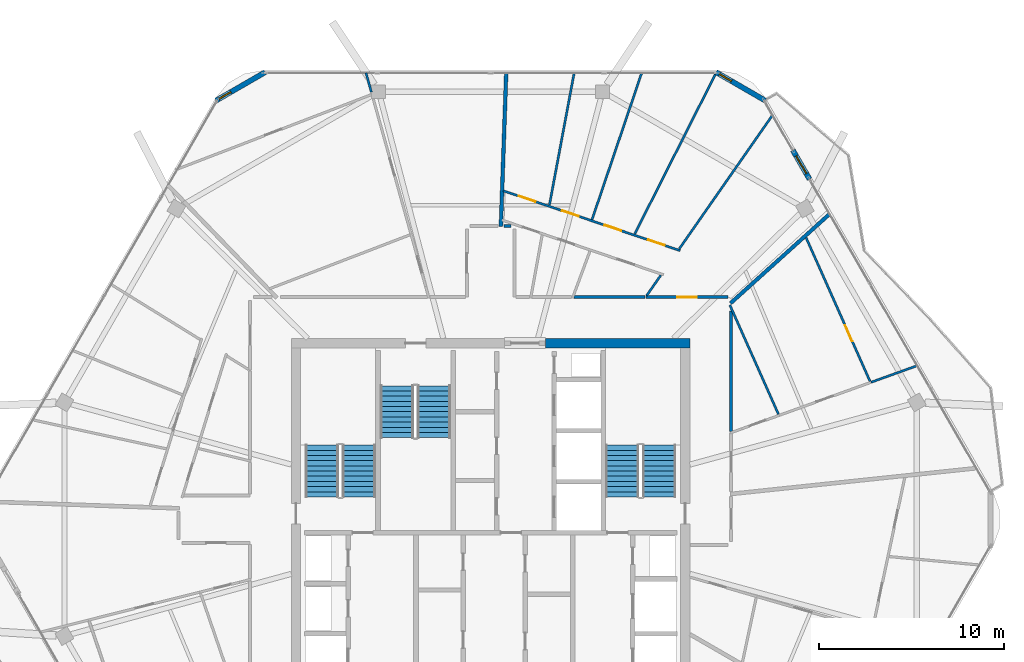
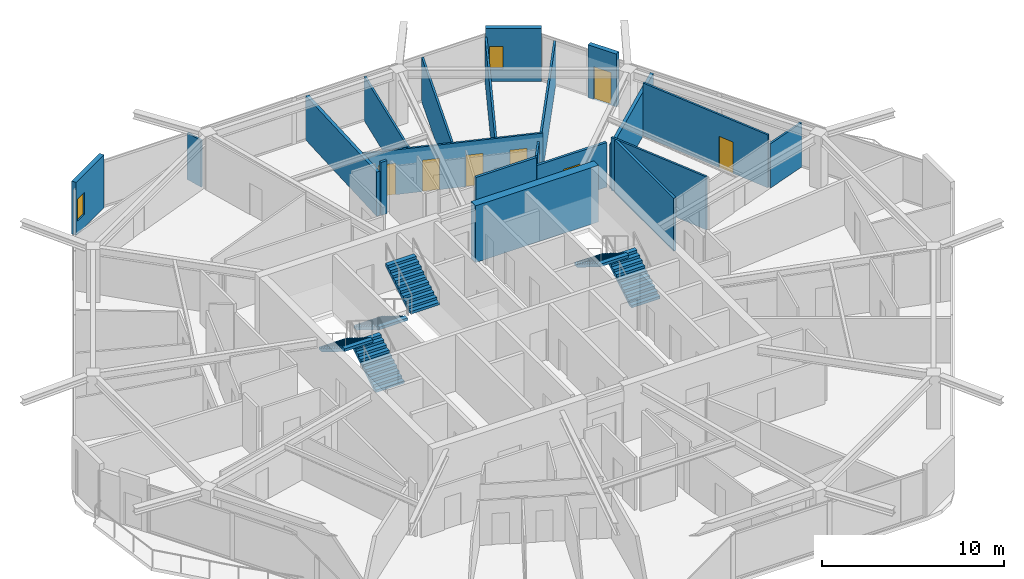
# One storey, part 16 of 18: 20 walls, 7 doors, 6 stair flights, 2 windows, 9 openings, 3 elements without a shape of their own.
"""IFC4 building model written with IfcOpenShell, lengths in metres."""

from ifc_helpers import new_model, si_unit, direction, frame, frame_2d, origin, place, context, subcontext, project, spatial, polyline, rectangle, outline, extrude, material, layer, layer_set, type_object, element, fill, aggregate, save


model = new_model("IFC4")

# Units and contexts
model_context = context("Model", 3, precision=1e-05, world=origin(), true_north=direction((0.0, 1.0)))
body_context = subcontext(model_context, "Body", "Model", "MODEL_VIEW")
ifc_project = project(units=[si_unit("LENGTHUNIT", "METRE"), si_unit("AREAUNIT", "SQUARE_METRE"), si_unit("VOLUMEUNIT", "CUBIC_METRE"), si_unit("PLANEANGLEUNIT", "RADIAN"), si_unit("MASSUNIT", "GRAM", prefix="KILO")], contexts=[model_context])

# Site, building, storey
site_placement = place(None, origin())
site = spatial("IfcSite", under=ifc_project, at=site_placement, CompositionType="ELEMENT")
building_placement = place(site_placement, origin())
building = spatial("IfcBuilding", under=site, at=building_placement, Name="Zuhravey Tower", CompositionType="ELEMENT")
storey_placement = place(building_placement, frame((0.0, 0.0, 342.39990234375)))
storey = spatial("IfcBuildingStorey", under=building, at=storey_placement, Name="L87", CompositionType="ELEMENT", Elevation=342.39990234375)

# Wall
ifc_material_1 = material(Name="Concrete C50/60", Category="concrete")
ifc_layer_1 = layer(ifc_material_1, 0.5)
ifc_layer_set_1 = layer_set([ifc_layer_1], Name="Concrete C50/60")
wall_type_1 = type_object("IfcWallType", Name="Core Shear Wall 500", PredefinedType="SHEAR", material=ifc_layer_set_1)
wall_1_placement = place(storey_placement, frame((46.75, 41.5, 0.0), z_axis=(0.0, 0.0, 1.0), x_axis=(-1.0, 0.0, 0.0)))
element("IfcWall", 1, at=wall_1_placement, inside=storey, type_object=wall_type_1, Name="L87 North-East Core Shear Wall CW50", PredefinedType="SHEAR", context=body_context, shape_type="SweptSolid", body=[
    extrude(rectangle(XDim=7.800048828125, YDim=0.5, at=frame_2d((3.89990234375, 0.0))), origin(), (0.0, 0.0, 1.0), 3.800048828125),
])

# Wall, opening, door
ifc_material_2 = material(Name="Gypsum fire-rated stud partition")
ifc_layer_2 = layer(ifc_material_2, 0.159912109375)
ifc_layer_set_2 = layer_set([ifc_layer_2], Name="Gypsum fire-rated stud partition")
wall_type_2 = type_object("IfcWallType", Name="Corridor Fire Partition 160", PredefinedType="PARTITIONING", material=ifc_layer_set_2)
wall_2_placement = place(storey_placement, frame((48.79931640625, 43.97998046875, 0.0), z_axis=(0.0, 0.0, 1.0), x_axis=(-1.0, 0.0, 0.0)))
wall_2 = element("IfcWall", 2, at=wall_2_placement, inside=storey, type_object=wall_type_2, Name="L87 IW16 Partition 022", PredefinedType="PARTITIONING", context=body_context, shape_type="SweptSolid", body=[
    extrude(rectangle(XDim=4.417724609375, YDim=0.159912109375, at=frame_2d((2.208984375, 0.0))), origin(), (0.0, 0.0, 1.0), 3.0),
])
opening_1_placement = place(wall_2_placement, frame((1.683837890625, 0.0, 0.0)))
opening_1 = element("IfcOpeningElement", 3, at=opening_1_placement, cuts=wall_2, Name="Opening APD1", PredefinedType="OPENING", context=body_context, shape_type="SweptSolid", body=[
    extrude(rectangle(XDim=1.050048828125, YDim=2.14990234375, at=frame_2d((0.52490234375, 1.074951171875))), frame((0.0, 0.092041015625, 0.0), z_axis=(0.0, -1.0, 0.0), x_axis=(1.0, 0.0, 0.0)), (0.0, 0.0, 1.0), 0.183837890625),
])
ifc_material_3 = material(Name="Solid-core oak fire-rated leaf")
door_type_1 = type_object("IfcDoorType", Name="Apartment Entrance Fire Door 1050x2150", OperationType="NOTDEFINED", PredefinedType="DOOR", material=ifc_material_3)
door_1_placement = place(opening_1_placement, frame((1.050048828125, 0.0, 0.0), z_axis=(0.0, 0.0, 1.0), x_axis=(-1.0, 0.0, 0.0)))
door_1 = element("IfcDoor", 4, at=door_1_placement, inside=storey, type_object=door_type_1, Name="L87 Door 022.1", OperationType="SINGLE_SWING_RIGHT", OverallHeight=2.14990234375, OverallWidth=1.050048828125, PredefinedType="DOOR", context=body_context, shape_type="SweptSolid", body=[
    extrude(rectangle(XDim=1.050048828125, YDim=2.14990234375, at=frame_2d((0.52490234375, 1.074951171875))), frame((0.0, 0.02490234375, 0.0), z_axis=(0.0, -1.0, 0.0), x_axis=(1.0, 0.0, 0.0)), (0.0, 0.0, 1.0), 0.050048828125),
])
fill(opening_1, door_1)

# Walls
wall_3_placement = place(storey_placement, frame((44.3330078125, 43.97998046875, 0.0), z_axis=(0.0, 0.0, 1.0), x_axis=(-1.0, 0.0, 0.0)))
element("IfcWall", 5, at=wall_3_placement, inside=storey, type_object=wall_type_2, Name="L87 IW16 Partition 101", PredefinedType="PARTITIONING", context=body_context, shape_type="SweptSolid", body=[
    extrude(rectangle(XDim=3.82421875, YDim=0.159912109375, at=frame_2d((1.912109375, 0.0))), origin(), (0.0, 0.0, 1.0), 3.550048828125),
])
wall_4_placement = place(storey_placement, frame((37.10009765625, 47.830078125, 0.0), z_axis=(0.0, 0.0, 1.0), x_axis=(-1.0, 0.0, 0.0)))
element("IfcWall", 6, at=wall_4_placement, inside=storey, type_object=wall_type_2, Name="L87 IW16 Partition 105", PredefinedType="PARTITIONING", context=body_context, shape_type="SweptSolid", body=[
    extrude(rectangle(XDim=0.388916015625, YDim=0.159912109375, at=frame_2d((0.1943359375, 0.0))), origin(), (0.0, 0.0, 1.0), 3.550048828125),
])
wall_5_placement = place(storey_placement, frame((48.97998046875, 36.745361328125, 0.0), z_axis=(0.0, 0.0, 1.0), x_axis=(0.0, 1.0, 0.0)))
element("IfcWall", 7, at=wall_5_placement, inside=storey, type_object=wall_type_2, Name="L87 IW16 Partition 126", PredefinedType="PARTITIONING", context=body_context, shape_type="SweptSolid", body=[
    extrude(rectangle(XDim=6.476806640625, YDim=0.159912109375, at=frame_2d((3.23828125, 0.0))), origin(), (0.0, 0.0, 1.0), 3.550048828125),
])

# Wall, opening, window
ifc_material_4 = material(Name="Precast concrete C40/50", Category="concrete")
ifc_layer_3 = layer(ifc_material_4, 0.280029296875)
ifc_layer_set_3 = layer_set([ifc_layer_3], Name="Precast concrete C40/50")
wall_type_3 = type_object("IfcWallType", Name="Crown Architectural Wall 280", PredefinedType="SOLIDWALL", material=ifc_layer_set_3)
wall_6_placement = place(storey_placement, frame((21.188720703125, 54.589111328125, 0.0), z_axis=(0.0, 0.0, 1.0), x_axis=(0.866023752521, 0.50000286006, 0.0)))
wall_6 = element("IfcWall", 8, at=wall_6_placement, inside=storey, type_object=wall_type_3, Name="L87 Rounded Corner Closure Wall EW28-08", PredefinedType="SOLIDWALL", context=body_context, shape_type="SweptSolid", body=[
    extrude(rectangle(XDim=3.06494140625, YDim=0.280029296875, at=frame_2d((1.532470703125, 0.0))), origin(), (0.0, 0.0, 1.0), 3.550048828125),
])
opening_2_placement = place(wall_6_placement, frame((0.1728515625, 0.0, 0.85009765625)))
opening_2 = element("IfcOpeningElement", 9, at=opening_2_placement, cuts=wall_6, Name="Opening WN5", PredefinedType="OPENING", context=body_context, shape_type="SweptSolid", body=[
    extrude(rectangle(XDim=0.75, YDim=1.5, at=frame_2d((0.375, 0.75))), frame((0.0, 0.152099609375, 0.0), z_axis=(0.0, -1.0, 0.0), x_axis=(1.0, 0.0, 0.0)), (0.0, 0.0, 1.0), 0.303955078125),
])
ifc_material_5 = material(Name="Thermally broken aluminium and triple low-E glass", Category="aluminium")
window_type = type_object("IfcWindowType", Name="Residential Corner Casement Window 750x1500", PartitioningType="SINGLE_PANEL", PredefinedType="WINDOW", material=ifc_material_5)
window_1_placement = place(opening_2_placement, origin())
window_1 = element("IfcWindow", 10, at=window_1_placement, inside=storey, type_object=window_type, Name="L87 Corner Casement Window WN5-08.1", OverallHeight=1.5, OverallWidth=0.75, PartitioningType="SINGLE_PANEL", PredefinedType="WINDOW", context=body_context, shape_type="SweptSolid", body=[
    extrude(rectangle(XDim=0.75, YDim=1.5, at=frame_2d((0.375, 0.75))), frame((0.0, 0.030029296875, 0.0), z_axis=(0.0, -1.0, 0.0), x_axis=(1.0, 0.0, 0.0)), (0.0, 0.0, 1.0), 0.06005859375),
])
fill(opening_2, window_1)

wall_7_placement = place(storey_placement, frame((48.156982421875, 56.12158203125, 0.0), z_axis=(0.0, 0.0, 1.0), x_axis=(0.866023752521, -0.50000286006, 0.0)))
wall_7 = element("IfcWall", 11, at=wall_7_placement, inside=storey, type_object=wall_type_3, Name="L87 Rounded Corner Closure Wall EW28-10", PredefinedType="SOLIDWALL", context=body_context, shape_type="SweptSolid", body=[
    extrude(rectangle(XDim=3.06494140625, YDim=0.280029296875, at=frame_2d((1.532470703125, 0.0))), origin(), (0.0, 0.0, 1.0), 3.550048828125),
])
opening_3_placement = place(wall_7_placement, frame((0.215576171875, 0.0, 0.85009765625)))
opening_3 = element("IfcOpeningElement", 12, at=opening_3_placement, cuts=wall_7, Name="Opening WN5", PredefinedType="OPENING", context=body_context, shape_type="SweptSolid", body=[
    extrude(rectangle(XDim=0.75, YDim=1.5, at=frame_2d((0.375, 0.75))), frame((0.0, 0.152099609375, 0.0), z_axis=(0.0, -1.0, 0.0), x_axis=(1.0, 0.0, 0.0)), (0.0, 0.0, 1.0), 0.303955078125),
])
window_2_placement = place(opening_3_placement, origin())
window_2 = element("IfcWindow", 13, at=window_2_placement, inside=storey, type_object=window_type, Name="L87 Corner Casement Window WN5-10.1", OverallHeight=1.5, OverallWidth=0.75, PartitioningType="SINGLE_PANEL", PredefinedType="WINDOW", context=body_context, shape_type="SweptSolid", body=[
    extrude(rectangle(XDim=0.75, YDim=1.5, at=frame_2d((0.375, 0.75))), frame((0.0, 0.030029296875, 0.0), z_axis=(0.0, -1.0, 0.0), x_axis=(1.0, 0.0, 0.0)), (0.0, 0.0, 1.0), 0.06005859375),
])
fill(opening_3, window_2)

# Wall, opening, door
wall_8_placement = place(storey_placement, frame((52.3095703125, 51.89892578125, 0.0), z_axis=(0.0, 0.0, 1.0), x_axis=(0.500041240653, -0.866001592173, 0.0)))
wall_8 = element("IfcWall", 14, at=wall_8_placement, inside=storey, type_object=wall_type_3, Name="L87 Face 1 Facade Pier EW28-1", PredefinedType="SOLIDWALL", context=body_context, shape_type="SweptSolid", body=[
    extrude(rectangle(XDim=1.789794921875, YDim=0.280029296875, at=frame_2d((0.89501953125, 0.0))), origin(), (0.0, 0.0, 1.0), 3.550048828125),
])
opening_4_placement = place(wall_8_placement, frame((0.344970703125, 0.0, 0.0)))
opening_4 = element("IfcOpeningElement", 15, at=opening_4_placement, cuts=wall_8, Name="Opening BLD1", PredefinedType="OPENING", context=body_context, shape_type="SweptSolid", body=[
    extrude(rectangle(XDim=1.10009765625, YDim=2.199951171875, at=frame_2d((0.550048828125, 1.10009765625))), frame((0.0, 0.152099609375, 0.0), z_axis=(0.0, -1.0, 0.0), x_axis=(1.0, 0.0, 0.0)), (0.0, 0.0, 1.0), 0.303955078125),
])
ifc_material_6 = material(Name="Thermally broken aluminium and low-E glass", Category="aluminium")
door_type_2 = type_object("IfcDoorType", Name="Balcony & Sky-Tray Glazed Door 1100x2200", OperationType="NOTDEFINED", PredefinedType="DOOR", material=ifc_material_6)
door_2_placement = place(opening_4_placement, frame((1.10009765625, 0.0, 0.0), z_axis=(0.0, 0.0, 1.0), x_axis=(-1.0, 0.0, 0.0)))
door_2 = element("IfcDoor", 16, at=door_2_placement, inside=storey, type_object=door_type_2, Name="L87 Face 1 Wave Balcony Door", OperationType="SINGLE_SWING_RIGHT", OverallHeight=2.199951171875, OverallWidth=1.10009765625, PredefinedType="DOOR", context=body_context, shape_type="SweptSolid", body=[
    extrude(rectangle(XDim=1.10009765625, YDim=2.199951171875, at=frame_2d((0.550048828125, 1.10009765625))), frame((0.0, 0.02490234375, 0.0), z_axis=(0.0, -1.0, 0.0), x_axis=(1.0, 0.0, 0.0)), (0.0, 0.0, 1.0), 0.050048828125),
])
fill(opening_4, door_2)

# Walls
ifc_material_7 = material(Name="Gypsum double-stud party assembly")
ifc_layer_4 = layer(ifc_material_7, 0.199951171875)
ifc_layer_set_4 = layer_set([ifc_layer_4], Name="Gypsum double-stud party assembly")
wall_type_4 = type_object("IfcWallType", Name="Inter-Tenancy Party Wall 200", PredefinedType="PARTITIONING", material=ifc_layer_set_4)
wall_9_placement = place(storey_placement, frame((48.93994140625, 43.651123046875, 0.0), z_axis=(0.0, 0.0, 1.0), x_axis=(0.74315080538, 0.669123964944, 0.0)))
element("IfcWall", 17, at=wall_9_placement, inside=storey, type_object=wall_type_4, Name="L87 IW20 Partition 057", PredefinedType="PARTITIONING", context=body_context, shape_type="SweptSolid", body=[
    extrude(rectangle(XDim=7.199462890625, YDim=0.199951171875, at=frame_2d((3.599609375, 0.0))), origin(), (0.0, 0.0, 1.0), 2.97021484375),
])
wall_10_placement = place(storey_placement, frame((36.551513671875, 47.7900390625, 0.0), z_axis=(0.0, 0.0, 1.0), x_axis=(0.034901510276, 0.999390756702, 0.0)))
element("IfcWall", 18, at=wall_10_placement, inside=storey, type_object=wall_type_4, Name="L87 IW20 Partition 065", PredefinedType="PARTITIONING", context=body_context, shape_type="SweptSolid", body=[
    extrude(rectangle(XDim=8.289306640625, YDim=0.199951171875, at=frame_2d((4.14453125, 0.0))), origin(), (0.0, 0.0, 1.0), 2.97021484375),
])

# Wall, openings, doors
ifc_material_8 = material(Name="Gypsum metal-stud partition")
ifc_layer_5 = layer(ifc_material_8, 0.1201171875)
ifc_layer_set_5 = layer_set([ifc_layer_5], Name="Gypsum metal-stud partition")
wall_type_5 = type_object("IfcWallType", Name="Unit Internal Partition 120", PredefinedType="PARTITIONING", material=ifc_layer_set_5)
wall_11_placement = place(storey_placement, frame((46.228759765625, 46.48779296875, 0.0), z_axis=(0.0, 0.0, 1.0), x_axis=(-0.947206471438, 0.320624235618, 0.0)))
wall_11 = element("IfcWall", 19, at=wall_11_placement, inside=storey, type_object=wall_type_5, Name="L87 IW12 Partition 021", PredefinedType="PARTITIONING", context=body_context, shape_type="SweptSolid", body=[
    extrude(rectangle(XDim=10.087646484375, YDim=0.1201171875, at=frame_2d((5.0439453125, 0.0))), origin(), (0.0, 0.0, 1.0), 3.0),
])
opening_5_placement = place(wall_11_placement, frame((0.886962890625, 0.0, 0.0)))
opening_5 = element("IfcOpeningElement", 20, at=opening_5_placement, cuts=wall_11, Name="Opening IND1", PredefinedType="OPENING", context=body_context, shape_type="SweptSolid", body=[
    extrude(rectangle(XDim=0.949951171875, YDim=2.10009765625, at=frame_2d((0.47509765625, 1.050048828125))), frame((0.0, 0.072021484375, 0.0), z_axis=(0.0, -1.0, 0.0), x_axis=(1.0, 0.0, 0.0)), (0.0, 0.0, 1.0), 0.14404296875),
])
opening_6_placement = place(wall_11_placement, frame((3.3583984375, 0.0, 0.0)))
opening_6 = element("IfcOpeningElement", 21, at=opening_6_placement, cuts=wall_11, Name="Opening IND1", PredefinedType="OPENING", context=body_context, shape_type="SweptSolid", body=[
    extrude(rectangle(XDim=0.949951171875, YDim=2.10009765625, at=frame_2d((0.47509765625, 1.050048828125))), frame((0.0, 0.072021484375, 0.0), z_axis=(0.0, -1.0, 0.0), x_axis=(1.0, 0.0, 0.0)), (0.0, 0.0, 1.0), 0.14404296875),
])
opening_7_placement = place(wall_11_placement, frame((5.779296875, 0.0, 0.0)))
opening_7 = element("IfcOpeningElement", 22, at=opening_7_placement, cuts=wall_11, Name="Opening IND1", PredefinedType="OPENING", context=body_context, shape_type="SweptSolid", body=[
    extrude(rectangle(XDim=0.949951171875, YDim=2.10009765625, at=frame_2d((0.47509765625, 1.050048828125))), frame((0.0, 0.072021484375, 0.0), z_axis=(0.0, -1.0, 0.0), x_axis=(1.0, 0.0, 0.0)), (0.0, 0.0, 1.0), 0.14404296875),
])
opening_8_placement = place(wall_11_placement, frame((8.250732421875, 0.0, 0.0)))
opening_8 = element("IfcOpeningElement", 23, at=opening_8_placement, cuts=wall_11, Name="Opening IND1", PredefinedType="OPENING", context=body_context, shape_type="SweptSolid", body=[
    extrude(rectangle(XDim=0.949951171875, YDim=2.10009765625, at=frame_2d((0.47509765625, 1.050048828125))), frame((0.0, 0.072021484375, 0.0), z_axis=(0.0, -1.0, 0.0), x_axis=(1.0, 0.0, 0.0)), (0.0, 0.0, 1.0), 0.14404296875),
])
ifc_material_9 = material(Name="Painted engineered timber leaf", Category="wood")
door_type_3 = type_object("IfcDoorType", Name="Internal Room & Bedroom Door 950x2100", OperationType="NOTDEFINED", PredefinedType="DOOR", material=ifc_material_9)
door_3_placement = place(opening_5_placement, frame((0.949951171875, 0.0, 0.0), z_axis=(0.0, 0.0, 1.0), x_axis=(-1.0, 0.0, 0.0)))
door_3 = element("IfcDoor", 24, at=door_3_placement, inside=storey, type_object=door_type_3, Name="Apartment L87-01 Bedroom 1 Door", OperationType="SINGLE_SWING_RIGHT", OverallHeight=2.10009765625, OverallWidth=0.949951171875, PredefinedType="DOOR", context=body_context, shape_type="SweptSolid", body=[
    extrude(rectangle(XDim=0.949951171875, YDim=2.10009765625, at=frame_2d((0.47509765625, 1.050048828125))), frame((0.0, 0.02490234375, 0.0), z_axis=(0.0, -1.0, 0.0), x_axis=(1.0, 0.0, 0.0)), (0.0, 0.0, 1.0), 0.050048828125),
])
fill(opening_5, door_3)
door_4_placement = place(opening_6_placement, frame((0.949951171875, 0.0, 0.0), z_axis=(0.0, 0.0, 1.0), x_axis=(-1.0, 0.0, 0.0)))
door_4 = element("IfcDoor", 25, at=door_4_placement, inside=storey, type_object=door_type_3, Name="Apartment L87-01 Bedroom 2 Door", OperationType="SINGLE_SWING_LEFT", OverallHeight=2.10009765625, OverallWidth=0.949951171875, PredefinedType="DOOR", context=body_context, shape_type="SweptSolid", body=[
    extrude(rectangle(XDim=0.949951171875, YDim=2.10009765625, at=frame_2d((0.47509765625, 1.050048828125))), frame((0.0, 0.02490234375, 0.0), z_axis=(0.0, -1.0, 0.0), x_axis=(1.0, 0.0, 0.0)), (0.0, 0.0, 1.0), 0.050048828125),
])
fill(opening_6, door_4)
door_5_placement = place(opening_7_placement, frame((0.949951171875, 0.0, 0.0), z_axis=(0.0, 0.0, 1.0), x_axis=(-1.0, 0.0, 0.0)))
door_5 = element("IfcDoor", 26, at=door_5_placement, inside=storey, type_object=door_type_3, Name="Apartment L87-01 Bedroom 3 Door", OperationType="SINGLE_SWING_RIGHT", OverallHeight=2.10009765625, OverallWidth=0.949951171875, PredefinedType="DOOR", context=body_context, shape_type="SweptSolid", body=[
    extrude(rectangle(XDim=0.949951171875, YDim=2.10009765625, at=frame_2d((0.47509765625, 1.050048828125))), frame((0.0, 0.02490234375, 0.0), z_axis=(0.0, -1.0, 0.0), x_axis=(1.0, 0.0, 0.0)), (0.0, 0.0, 1.0), 0.050048828125),
])
fill(opening_7, door_5)
door_6_placement = place(opening_8_placement, frame((0.949951171875, 0.0, 0.0), z_axis=(0.0, 0.0, 1.0), x_axis=(-1.0, 0.0, 0.0)))
door_6 = element("IfcDoor", 27, at=door_6_placement, inside=storey, type_object=door_type_3, Name="Apartment L87-01 Bedroom 4 Door", OperationType="SINGLE_SWING_LEFT", OverallHeight=2.10009765625, OverallWidth=0.949951171875, PredefinedType="DOOR", context=body_context, shape_type="SweptSolid", body=[
    extrude(rectangle(XDim=0.949951171875, YDim=2.10009765625, at=frame_2d((0.47509765625, 1.050048828125))), frame((0.0, 0.02490234375, 0.0), z_axis=(0.0, -1.0, 0.0), x_axis=(1.0, 0.0, 0.0)), (0.0, 0.0, 1.0), 0.050048828125),
])
fill(opening_8, door_6)

# Wall, opening, door
wall_12_placement = place(storey_placement, frame((56.469482421875, 39.441650390625, 0.0), z_axis=(0.0, 0.0, 1.0), x_axis=(-0.406736554193, 0.913545497216, 0.0)))
wall_12 = element("IfcWall", 28, at=wall_12_placement, inside=storey, type_object=wall_type_5, Name="L87 IW12 Partition 049", PredefinedType="PARTITIONING", context=body_context, shape_type="SweptSolid", body=[
    extrude(rectangle(XDim=8.482666015625, YDim=0.1201171875, at=frame_2d((4.2412109375, 0.0))), origin(), (0.0, 0.0, 1.0), 3.550048828125),
])
opening_9_placement = place(wall_12_placement, frame((2.362060546875, 0.0, 0.0)))
opening_9 = element("IfcOpeningElement", 29, at=opening_9_placement, cuts=wall_12, Name="Opening IND1", PredefinedType="OPENING", context=body_context, shape_type="SweptSolid", body=[
    extrude(rectangle(XDim=0.949951171875, YDim=2.10009765625, at=frame_2d((0.47509765625, 1.050048828125))), frame((0.0, 0.072021484375, 0.0), z_axis=(0.0, -1.0, 0.0), x_axis=(1.0, 0.0, 0.0)), (0.0, 0.0, 1.0), 0.14404296875),
])
door_7_placement = place(opening_9_placement, frame((0.949951171875, 0.0, 0.0), z_axis=(0.0, 0.0, 1.0), x_axis=(-1.0, 0.0, 0.0)))
door_7 = element("IfcDoor", 30, at=door_7_placement, inside=storey, type_object=door_type_3, Name="Apartment L87-09 Bedroom 1 Door", OperationType="SINGLE_SWING_RIGHT", OverallHeight=2.10009765625, OverallWidth=0.949951171875, PredefinedType="DOOR", context=body_context, shape_type="SweptSolid", body=[
    extrude(rectangle(XDim=0.949951171875, YDim=2.10009765625, at=frame_2d((0.47509765625, 1.050048828125))), frame((0.0, 0.02490234375, 0.0), z_axis=(0.0, -1.0, 0.0), x_axis=(1.0, 0.0, 0.0)), (0.0, 0.0, 1.0), 0.050048828125),
])
fill(opening_9, door_7)

# Walls
wall_13_placement = place(storey_placement, frame((43.7744140625, 47.390380859375, 0.0), z_axis=(0.0, 0.0, 1.0), x_axis=(0.450869548037, 0.892589855787, 0.0)))
element("IfcWall", 31, at=wall_13_placement, inside=storey, type_object=wall_type_5, Name="L87 IW12 Partition 060", PredefinedType="PARTITIONING", context=body_context, shape_type="SweptSolid", body=[
    extrude(rectangle(XDim=9.73974609375, YDim=0.1201171875, at=frame_2d((4.869873046875, 0.0))), origin(), (0.0, 0.0, 1.0), 2.97021484375),
])
wall_14_placement = place(storey_placement, frame((41.472900390625, 48.16943359375, 0.0), z_axis=(0.0, 0.0, 1.0), x_axis=(0.32064215142, 0.947200406848, 0.0)))
element("IfcWall", 32, at=wall_14_placement, inside=storey, type_object=wall_type_5, Name="L87 IW12 Partition 061", PredefinedType="PARTITIONING", context=body_context, shape_type="SweptSolid", body=[
    extrude(rectangle(XDim=8.355712890625, YDim=0.1201171875, at=frame_2d((4.177734375, 0.0))), origin(), (0.0, 0.0, 1.0), 2.97021484375),
])
wall_15_placement = place(storey_placement, frame((39.171875, 48.948486328125, 0.0), z_axis=(0.0, 0.0, 1.0), x_axis=(0.183929112918, 0.982939510561, 0.0)))
element("IfcWall", 33, at=wall_15_placement, inside=storey, type_object=wall_type_5, Name="L87 IW12 Partition 062", PredefinedType="PARTITIONING", context=body_context, shape_type="SweptSolid", body=[
    extrude(rectangle(XDim=7.25927734375, YDim=0.1201171875, at=frame_2d((3.629638671875, 0.0))), origin(), (0.0, 0.0, 1.0), 2.97021484375),
])
wall_16_placement = place(storey_placement, frame((44.418701171875, 44.068115234375, 0.0), z_axis=(0.0, 0.0, 1.0), x_axis=(0.572224421866, 0.820097074144, 0.0)))
element("IfcWall", 34, at=wall_16_placement, inside=storey, type_object=wall_type_5, Name="L87 IW12 Partition 063", PredefinedType="PARTITIONING", context=body_context, shape_type="SweptSolid", body=[
    extrude(rectangle(XDim=1.337646484375, YDim=0.1201171875, at=frame_2d((0.6689453125, 0.0))), origin(), (0.0, 0.0, 1.0), 3.550048828125),
])
wall_17_placement = place(storey_placement, frame((46.170654296875, 46.579345703125, 0.0), z_axis=(0.0, 0.0, 1.0), x_axis=(0.572144356321, 0.820152934233, 0.0)))
element("IfcWall", 35, at=wall_17_placement, inside=storey, type_object=wall_type_5, Name="L87 IW12 Partition 064", PredefinedType="PARTITIONING", context=body_context, shape_type="SweptSolid", body=[
    extrude(rectangle(XDim=8.8193359375, YDim=0.1201171875, at=frame_2d((4.40966796875, 0.0))), origin(), (0.0, 0.0, 1.0), 2.97021484375),
])
wall_18_placement = place(storey_placement, frame((29.56640625, 55.04296875, 0.0), z_axis=(0.0, 0.0, 1.0), x_axis=(-0.268931170231, 0.963159397856, 0.0)))
element("IfcWall", 36, at=wall_18_placement, inside=storey, type_object=wall_type_5, Name="L87 IW12 Partition 067", PredefinedType="PARTITIONING", context=body_context, shape_type="SweptSolid", body=[
    extrude(rectangle(XDim=1.07568359375, YDim=0.1201171875, at=frame_2d((0.537841796875, 0.0))), origin(), (0.0, 0.0, 1.0), 3.1220703125),
])
wall_19_placement = place(storey_placement, frame((56.5205078125, 39.387939453125, 0.0), z_axis=(0.0, 0.0, 1.0), x_axis=(0.940883895468, 0.338729235894, 0.0)))
element("IfcWall", 37, at=wall_19_placement, inside=storey, type_object=wall_type_5, Name="L87 IW12 Partition 099", PredefinedType="PARTITIONING", context=body_context, shape_type="SweptSolid", body=[
    extrude(rectangle(XDim=2.6552734375, YDim=0.1201171875, at=frame_2d((1.32763671875, 0.0))), origin(), (0.0, 0.0, 1.0), 2.97021484375),
])
wall_20_placement = place(storey_placement, frame((51.529541015625, 37.6630859375, 0.0), z_axis=(0.0, 0.0, 1.0), x_axis=(-0.406732154443, 0.913547456097, 0.0)))
element("IfcWall", 38, at=wall_20_placement, inside=storey, type_object=wall_type_5, Name="L87 IW12 Partition 100", PredefinedType="PARTITIONING", context=body_context, shape_type="SweptSolid", body=[
    extrude(rectangle(XDim=6.447265625, YDim=0.1201171875, at=frame_2d((3.2236328125, 0.0))), origin(), (0.0, 0.0, 1.0), 3.550048828125),
])

# Stair, stair flights
ifc_material_10 = material(Name="Concrete C40/50", Category="concrete")
stair_type = type_object("IfcStairType", Name="Housing Storey Stair Assembly 3800", PredefinedType="HALF_TURN_STAIR", material=ifc_material_10)
stair_1_placement = place(storey_placement, origin())
stair_1 = element("IfcStair", 39, at=stair_1_placement, inside=storey, type_object=stair_type, Name="L87 Core Exit Stair ST1", PredefinedType="HALF_TURN_STAIR")
stair_flight_type = type_object("IfcStairFlightType", Name="Housing Storey Stair Flight 3800", PredefinedType="STRAIGHT", material=ifc_material_10)
stair_flight_1_placement = place(storey_placement, frame((28.89990234375, 33.199951171875, 0.0), z_axis=(0.0, 0.0, 1.0), x_axis=(0.0, 1.0, 0.0)))
stair_flight_1 = element("IfcStairFlight", 40, at=stair_flight_1_placement, type_object=stair_flight_type, Name="ST1 flight 1", NumberOfRisers=11, NumberOfTreads=10, PredefinedType="STRAIGHT", RiserHeight=0.172727273, TreadLength=0.28, context=body_context, shape_type="SweptSolid", body=[
    extrude(outline(polyline([(0.0, 0.0), (0.0, 0.172607421875), (0.280029296875, 0.172607421875), (0.280029296875, 0.345458984375), (0.56005859375, 0.345458984375), (0.56005859375, 0.51806640625), (0.840087890625, 0.51806640625), (0.840087890625, 0.69091796875), (1.1201171875, 0.69091796875), (1.1201171875, 0.863525390625), (1.39990234375, 0.863525390625), (1.39990234375, 1.036376953125), (1.679931640625, 1.036376953125), (1.679931640625, 1.208984375), (1.9599609375, 1.208984375), (1.9599609375, 1.3818359375), (2.239990234375, 1.3818359375), (2.239990234375, 1.554443359375), (2.52001953125, 1.554443359375), (2.52001953125, 1.727294921875), (2.800048828125, 1.727294921875), (2.800048828125, 1.89990234375), (2.800048828125, 1.551025390625), (0.285400390625, 0.0), (0.0, 0.0)])), frame((0.0, 0.89990234375, 0.0), z_axis=(0.0, -1.0, 0.0), x_axis=(1.0, 0.0, 0.0)), (0.0, 0.0, 1.0), 1.800048828125),
])
stair_flight_2_placement = place(storey_placement, frame((26.89990234375, 36.0, 1.900146484375), z_axis=(0.0, 0.0, 1.0), x_axis=(0.0, -1.0, 0.0)))
stair_flight_2 = element("IfcStairFlight", 41, at=stair_flight_2_placement, type_object=stair_flight_type, Name="ST1 flight 2", NumberOfRisers=11, NumberOfTreads=10, PredefinedType="STRAIGHT", RiserHeight=0.172727273, TreadLength=0.28, context=body_context, shape_type="SweptSolid", body=[
    extrude(outline(polyline([(0.0, 0.0), (0.0, 0.172607421875), (0.280029296875, 0.172607421875), (0.280029296875, 0.345458984375), (0.56005859375, 0.345458984375), (0.56005859375, 0.51806640625), (0.840087890625, 0.51806640625), (0.840087890625, 0.69091796875), (1.1201171875, 0.69091796875), (1.1201171875, 0.863525390625), (1.39990234375, 0.863525390625), (1.39990234375, 1.036376953125), (1.679931640625, 1.036376953125), (1.679931640625, 1.208984375), (1.9599609375, 1.208984375), (1.9599609375, 1.3818359375), (2.239990234375, 1.3818359375), (2.239990234375, 1.554443359375), (2.52001953125, 1.554443359375), (2.52001953125, 1.727294921875), (2.800048828125, 1.727294921875), (2.800048828125, 1.89990234375), (2.800048828125, 1.551025390625), (0.285400390625, 0.0), (0.0, 0.0)])), frame((0.0, 0.89990234375, 0.0), z_axis=(0.0, -1.0, 0.0), x_axis=(1.0, 0.0, 0.0)), (0.0, 0.0, 1.0), 1.800048828125),
])
aggregate(stair_1, [stair_flight_1, stair_flight_2])

stair_2_placement = place(storey_placement, origin())
stair_2 = element("IfcStair", 42, at=stair_2_placement, inside=storey, type_object=stair_type, Name="L87 Core Exit Stair ST2", PredefinedType="HALF_TURN_STAIR")
stair_flight_3_placement = place(storey_placement, frame((45.10009765625, 33.199951171875, 0.0), z_axis=(0.0, 0.0, 1.0), x_axis=(0.0, 1.0, 0.0)))
stair_flight_3 = element("IfcStairFlight", 43, at=stair_flight_3_placement, type_object=stair_flight_type, Name="ST2 flight 1", NumberOfRisers=11, NumberOfTreads=10, PredefinedType="STRAIGHT", RiserHeight=0.172727273, TreadLength=0.28, context=body_context, shape_type="SweptSolid", body=[
    extrude(outline(polyline([(0.0, 0.0), (0.0, 0.172607421875), (0.280029296875, 0.172607421875), (0.280029296875, 0.345458984375), (0.56005859375, 0.345458984375), (0.56005859375, 0.51806640625), (0.840087890625, 0.51806640625), (0.840087890625, 0.69091796875), (1.1201171875, 0.69091796875), (1.1201171875, 0.863525390625), (1.39990234375, 0.863525390625), (1.39990234375, 1.036376953125), (1.679931640625, 1.036376953125), (1.679931640625, 1.208984375), (1.9599609375, 1.208984375), (1.9599609375, 1.3818359375), (2.239990234375, 1.3818359375), (2.239990234375, 1.554443359375), (2.52001953125, 1.554443359375), (2.52001953125, 1.727294921875), (2.800048828125, 1.727294921875), (2.800048828125, 1.89990234375), (2.800048828125, 1.551025390625), (0.285400390625, 0.0), (0.0, 0.0)])), frame((0.0, 0.89990234375, 0.0), z_axis=(0.0, -1.0, 0.0), x_axis=(1.0, 0.0, 0.0)), (0.0, 0.0, 1.0), 1.800048828125),
])
stair_flight_4_placement = place(storey_placement, frame((43.10009765625, 36.0, 1.900146484375), z_axis=(0.0, 0.0, 1.0), x_axis=(0.0, -1.0, 0.0)))
stair_flight_4 = element("IfcStairFlight", 44, at=stair_flight_4_placement, type_object=stair_flight_type, Name="ST2 flight 2", NumberOfRisers=11, NumberOfTreads=10, PredefinedType="STRAIGHT", RiserHeight=0.172727273, TreadLength=0.28, context=body_context, shape_type="SweptSolid", body=[
    extrude(outline(polyline([(0.0, 0.0), (0.0, 0.172607421875), (0.280029296875, 0.172607421875), (0.280029296875, 0.345458984375), (0.56005859375, 0.345458984375), (0.56005859375, 0.51806640625), (0.840087890625, 0.51806640625), (0.840087890625, 0.69091796875), (1.1201171875, 0.69091796875), (1.1201171875, 0.863525390625), (1.39990234375, 0.863525390625), (1.39990234375, 1.036376953125), (1.679931640625, 1.036376953125), (1.679931640625, 1.208984375), (1.9599609375, 1.208984375), (1.9599609375, 1.3818359375), (2.239990234375, 1.3818359375), (2.239990234375, 1.554443359375), (2.52001953125, 1.554443359375), (2.52001953125, 1.727294921875), (2.800048828125, 1.727294921875), (2.800048828125, 1.89990234375), (2.800048828125, 1.551025390625), (0.285400390625, 0.0), (0.0, 0.0)])), frame((0.0, 0.89990234375, 0.0), z_axis=(0.0, -1.0, 0.0), x_axis=(1.0, 0.0, 0.0)), (0.0, 0.0, 1.0), 1.800048828125),
])
aggregate(stair_2, [stair_flight_3, stair_flight_4])

stair_3_placement = place(storey_placement, origin())
stair_3 = element("IfcStair", 45, at=stair_3_placement, inside=storey, type_object=stair_type, Name="L87 Core Exit Stair ST3", PredefinedType="HALF_TURN_STAIR")
stair_flight_5_placement = place(storey_placement, frame((30.949951171875, 39.199951171875, 0.0), z_axis=(0.0, 0.0, 1.0), x_axis=(0.0, -1.0, 0.0)))
stair_flight_5 = element("IfcStairFlight", 46, at=stair_flight_5_placement, type_object=stair_flight_type, Name="ST3 flight 1", NumberOfRisers=11, NumberOfTreads=10, PredefinedType="STRAIGHT", RiserHeight=0.172727273, TreadLength=0.28, context=body_context, shape_type="SweptSolid", body=[
    extrude(outline(polyline([(0.0, 0.0), (0.0, 0.172607421875), (0.280029296875, 0.172607421875), (0.280029296875, 0.345458984375), (0.56005859375, 0.345458984375), (0.56005859375, 0.51806640625), (0.840087890625, 0.51806640625), (0.840087890625, 0.69091796875), (1.1201171875, 0.69091796875), (1.1201171875, 0.863525390625), (1.39990234375, 0.863525390625), (1.39990234375, 1.036376953125), (1.679931640625, 1.036376953125), (1.679931640625, 1.208984375), (1.9599609375, 1.208984375), (1.9599609375, 1.3818359375), (2.239990234375, 1.3818359375), (2.239990234375, 1.554443359375), (2.52001953125, 1.554443359375), (2.52001953125, 1.727294921875), (2.800048828125, 1.727294921875), (2.800048828125, 1.89990234375), (2.800048828125, 1.551025390625), (0.285400390625, 0.0), (0.0, 0.0)])), frame((0.0, 0.89990234375, 0.0), z_axis=(0.0, -1.0, 0.0), x_axis=(1.0, 0.0, 0.0)), (0.0, 0.0, 1.0), 1.800048828125),
])
stair_flight_6_placement = place(storey_placement, frame((32.949951171875, 36.39990234375, 1.900146484375), z_axis=(0.0, 0.0, 1.0), x_axis=(0.0, 1.0, 0.0)))
stair_flight_6 = element("IfcStairFlight", 47, at=stair_flight_6_placement, type_object=stair_flight_type, Name="ST3 flight 2", NumberOfRisers=11, NumberOfTreads=10, PredefinedType="STRAIGHT", RiserHeight=0.172727273, TreadLength=0.28, context=body_context, shape_type="SweptSolid", body=[
    extrude(outline(polyline([(0.0, 0.0), (0.0, 0.172607421875), (0.280029296875, 0.172607421875), (0.280029296875, 0.345458984375), (0.56005859375, 0.345458984375), (0.56005859375, 0.51806640625), (0.840087890625, 0.51806640625), (0.840087890625, 0.69091796875), (1.1201171875, 0.69091796875), (1.1201171875, 0.863525390625), (1.39990234375, 0.863525390625), (1.39990234375, 1.036376953125), (1.679931640625, 1.036376953125), (1.679931640625, 1.208984375), (1.9599609375, 1.208984375), (1.9599609375, 1.3818359375), (2.239990234375, 1.3818359375), (2.239990234375, 1.554443359375), (2.52001953125, 1.554443359375), (2.52001953125, 1.727294921875), (2.800048828125, 1.727294921875), (2.800048828125, 1.89990234375), (2.800048828125, 1.551025390625), (0.285400390625, 0.0), (0.0, 0.0)])), frame((0.0, 0.89990234375, 0.0), z_axis=(0.0, -1.0, 0.0), x_axis=(1.0, 0.0, 0.0)), (0.0, 0.0, 1.0), 1.800048828125),
])
aggregate(stair_3, [stair_flight_5, stair_flight_6])

save(model, "model.ifc")
